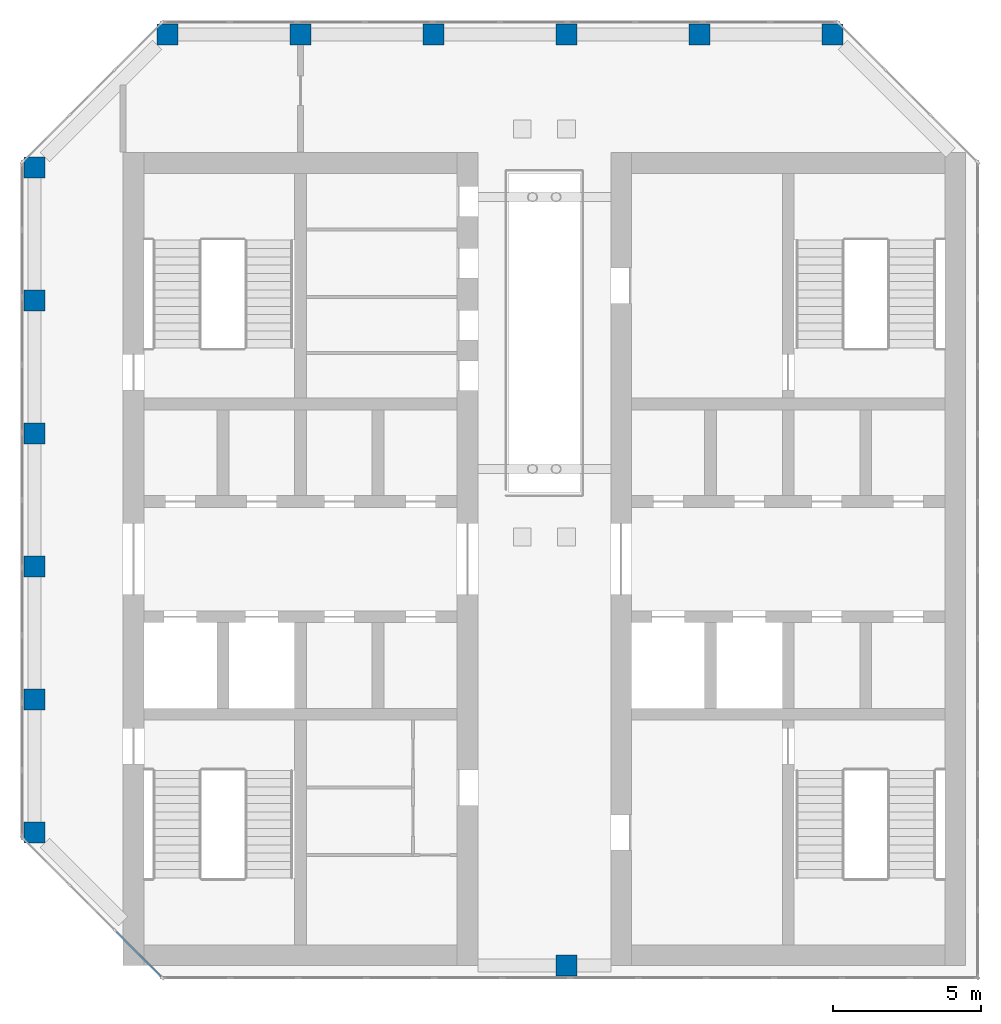
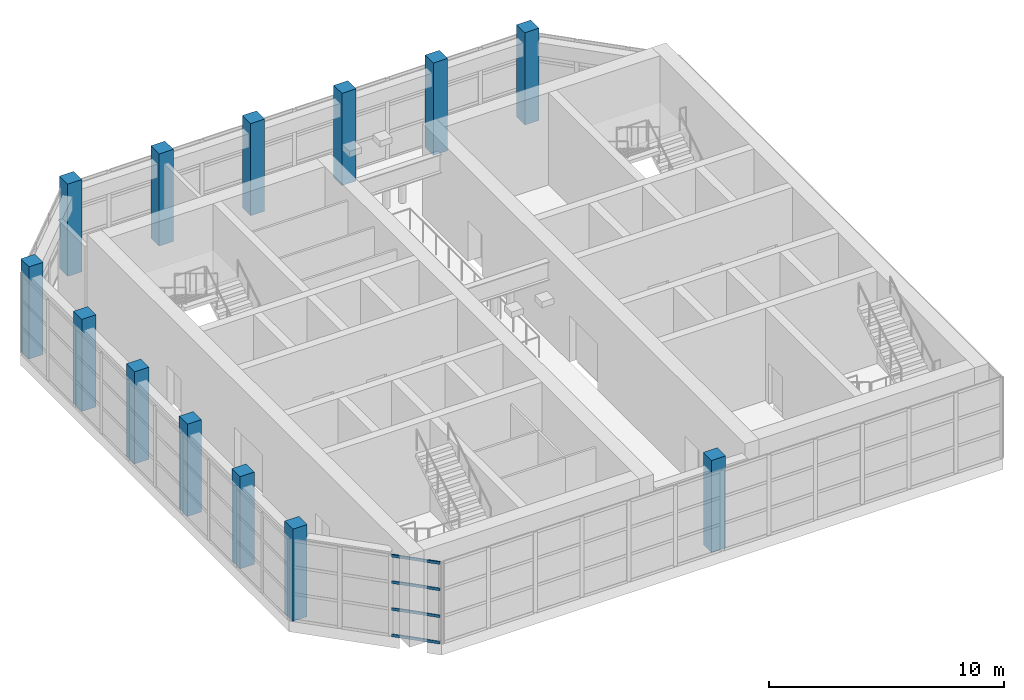
# One storey, part 1 of 13: 13 columns, 4 members, 1 element without a shape of its own.
"""IFC4 building model written with IfcOpenShell, lengths in metres."""

import ifcopenshell
import ifcopenshell.guid

model = None  # the IFC model being written
_history = None  # IfcOwnerHistory: only IFC2X3 demands one
_inside = {}  # id of a spatial element -> (the spatial element, [elements in it])
_under = {}  # id of a project, library or spatial element -> (it, [spatial elements below it])
_declared = {}  # id of a project -> (the project, [libraries it declares])
_typed = {}  # id of a type object -> (the type object, [elements of that type])
_made_of = {}  # id of a material, layer set ... -> (it, [elements and type objects made of it])


def new_model(schema):
    """Start an empty IFC model of exactly this schema.

    Asked for "IFC4X3", IfcOpenShell would pick the latest addendum, in which some entities
    have other attributes; the version numbers below select the first issue.
    IFC2X3 requires an IfcOwnerHistory on every rooted entity: one is made here for all.
    """
    global model, _history
    if schema == "IFC4X3":
        model = ifcopenshell.file(schema_version=(4, 3, 0, 0))
    else:
        model = ifcopenshell.file(schema=schema)
    _inside.clear()
    _under.clear()
    _declared.clear()
    _typed.clear()
    _made_of.clear()
    _history = None
    if model.schema == "IFC2X3":
        org = make("IfcOrganization", Name="unknown")
        user = make(
            "IfcPersonAndOrganization",
            ThePerson=make("IfcPerson", FamilyName="unknown"),
            TheOrganization=org,
        )
        app = make(
            "IfcApplication",
            ApplicationDeveloper=org,
            Version="unknown",
            ApplicationFullName="unknown",
            ApplicationIdentifier="unknown",
        )
        _history = make(
            "IfcOwnerHistory",
            OwningUser=user,
            OwningApplication=app,
            ChangeAction="ADDED",
            CreationDate=0,
        )
    return model


def make(cls, **values):
    """One entity of the class cls with the attributes given. An attribute that is None is left unset."""
    return model.create_entity(
        cls, **{name: value for name, value in values.items() if value is not None}
    )


def rooted(cls, **values):
    """An entity with a GlobalId (a new one), such as an element, a storey or a relation."""
    return make(cls, GlobalId=ifcopenshell.guid.new(), OwnerHistory=_history, **values)


def si_unit(unit_type, name, prefix=None):
    """IfcSIUnit, for example si_unit("LENGTHUNIT", "METRE", prefix="MILLI")."""
    return make("IfcSIUnit", UnitType=unit_type, Prefix=prefix, Name=name)


def assignment(units):
    """IfcUnitAssignment: the units of a project."""
    return None if units is None else make("IfcUnitAssignment", Units=units)


def point(xyz):
    """IfcCartesianPoint."""
    return None if xyz is None else make("IfcCartesianPoint", Coordinates=xyz)


def direction(xyz):
    """IfcDirection."""
    return None if xyz is None else make("IfcDirection", DirectionRatios=xyz)


def frame(location, z_axis=None, x_axis=None):
    """IfcAxis2Placement3D, a coordinate frame: its origin and axes. An axis left out is left unset."""
    return make(
        "IfcAxis2Placement3D",
        Location=point(location),
        Axis=direction(z_axis),
        RefDirection=direction(x_axis),
    )


def frame_2d(location, x_axis=None):
    """IfcAxis2Placement2D, a coordinate frame in the plane: its origin and x axis."""
    return make(
        "IfcAxis2Placement2D", Location=point(location), RefDirection=direction(x_axis)
    )


def origin():
    """The frame at (0, 0, 0) with its axes left unset."""
    return frame((0.0, 0.0, 0.0))


def origin_2d():
    """The frame at (0, 0) in the plane with its x axis left unset."""
    return frame_2d((0.0, 0.0))


def place(relative_to, where):
    """IfcLocalPlacement: puts the frame where relative to a parent placement (None: the world)."""
    return make(
        "IfcLocalPlacement", PlacementRelTo=relative_to, RelativePlacement=where
    )


def context(
    kind, dimensions, precision=None, world=None, true_north=None, identifier=None
):
    """IfcGeometricRepresentationContext, for example the 3D "Model" context."""
    return make(
        "IfcGeometricRepresentationContext",
        ContextIdentifier=identifier,
        ContextType=kind,
        CoordinateSpaceDimension=dimensions,
        Precision=precision,
        WorldCoordinateSystem=world,
        TrueNorth=true_north,
    )


def subcontext(parent, identifier, kind, view, scale=None):
    """IfcGeometricRepresentationSubContext, for example "Body" below "Model"."""
    return make(
        "IfcGeometricRepresentationSubContext",
        ContextIdentifier=identifier,
        ContextType=kind,
        ParentContext=parent,
        TargetScale=scale,
        TargetView=view,
    )


def project(units=None, contexts=None):
    """IfcProject with its units and contexts."""
    return rooted(
        "IfcProject",
        Name="project",
        RepresentationContexts=contexts,
        UnitsInContext=assignment(units),
    )


def spatial(cls, under=None, at=None, **own):
    """A site, building, storey or space (cls), placed at a placement, below another one or the project."""
    s = rooted(cls, ObjectPlacement=at, **own)
    if under is not None:
        _under.setdefault(under.id(), (under, []))[1].append(s)
    return s


def profile(cls, at=None, kind="AREA", **sizes):
    """A parametric profile (cls). Its sizes go by their IFC names, for example OverallWidth=200.0."""
    return make(cls, ProfileType=kind, Position=at, **sizes)


def rectangle(**sizes):
    """IfcRectangleProfileDef."""
    return profile("IfcRectangleProfileDef", **sizes)


def extrude(swept, where, along, depth):
    """IfcExtrudedAreaSolid: the profile swept, set in the frame where, extruded along a direction by depth."""
    return make(
        "IfcExtrudedAreaSolid",
        SweptArea=swept,
        Position=where,
        ExtrudedDirection=direction(along),
        Depth=depth,
    )


def shape(context_of_items, identifier, shape_type, items):
    """IfcShapeRepresentation: the items that make up one representation, for example the "Body"."""
    return make(
        "IfcShapeRepresentation",
        ContextOfItems=context_of_items,
        RepresentationIdentifier=identifier,
        RepresentationType=shape_type,
        Items=items,
    )


def material(Name=None, Category=None):
    """IfcMaterial."""
    return make("IfcMaterial", Name=Name, Category=Category)


def material_profile(
    of_material, cross_section, Name=None, Category=None, Priority=None
):
    """IfcMaterialProfile: a cross section and its material."""
    return make(
        "IfcMaterialProfile",
        Name=Name,
        Material=of_material,
        Profile=cross_section,
        Priority=Priority,
        Category=Category,
    )


def profile_set(profiles, Name=None, composite=None):
    """IfcMaterialProfileSet."""
    return make(
        "IfcMaterialProfileSet",
        Name=Name,
        MaterialProfiles=profiles,
        CompositeProfile=composite,
    )


def made_of(thing, what):
    """Note that an element or type object is made of a material, layer set ...; save() writes the relation."""
    if what is not None:
        _made_of.setdefault(what.id(), (what, []))[1].append(thing)
    return thing


def type_object(cls, material=None, **own):
    """A type object (cls), such as IfcWallType, which elements share."""
    return made_of(rooted(cls, **own), material)


def element(
    cls,
    number,
    at=None,
    inside=None,
    cuts=None,
    type_object=None,
    material=None,
    context=None,
    identifier="Body",
    shape_type=None,
    held_by="IfcProductDefinitionShape",
    body=None,
    shapes=None,
    **own,
):
    """One element of the class cls, such as IfcWall. Its Tag is "e" and its number.

    at: its placement. inside: the storey or other place that contains it. cuts: it is an
    opening in that element (IfcRelVoidsElement). A single representation is given by context,
    identifier, shape_type and body (its items); several are given by shapes. held_by: the class
    of the entity that holds the representations. save() writes the other relations.
    """
    e = rooted(cls, Tag="e%d" % number, ObjectPlacement=at, **own)
    if body is not None:
        shapes = [shape(context, identifier, shape_type, body)]
    if shapes is not None:
        e.Representation = make(held_by, Representations=shapes)
    if inside is not None:
        _inside.setdefault(inside.id(), (inside, []))[1].append(e)
    if cuts is not None:
        rooted(
            "IfcRelVoidsElement", RelatingBuildingElement=cuts, RelatedOpeningElement=e
        )
    if type_object is not None:
        _typed.setdefault(type_object.id(), (type_object, []))[1].append(e)
    return made_of(e, material)


def aggregate(whole, parts):
    """IfcRelAggregates: a whole, such as a stair, and the parts it consists of."""
    return rooted("IfcRelAggregates", RelatingObject=whole, RelatedObjects=parts)


def save(model, path):
    """Write the relations noted so far, then the file.

    IfcRelAggregates (storeys below a building ...), IfcRelContainedInSpatialStructure (elements
    in a storey), IfcRelDefinesByType, IfcRelAssociatesMaterial and IfcRelDeclares: one each for
    every whole, place, type object, material and project.
    """
    for whole, parts in _under.values():
        aggregate(whole, parts)
    for where, things in _inside.values():
        rooted(
            "IfcRelContainedInSpatialStructure",
            RelatedElements=things,
            RelatingStructure=where,
        )
    for kind, things in _typed.values():
        rooted("IfcRelDefinesByType", RelatedObjects=things, RelatingType=kind)
    for what, things in _made_of.values():
        rooted("IfcRelAssociatesMaterial", RelatedObjects=things, RelatingMaterial=what)
    for by, libraries in _declared.values():
        rooted("IfcRelDeclares", RelatingContext=by, RelatedDefinitions=libraries)
    model.write(path)


model = new_model("IFC4")

# Units and contexts
model_context = context("Model", 3, precision=1e-05, world=origin(), true_north=direction((0.0, 1.0)))
body_context = subcontext(model_context, "Body", "Model", "MODEL_VIEW")
ifc_project = project(units=[si_unit("LENGTHUNIT", "METRE"), si_unit("AREAUNIT", "SQUARE_METRE"), si_unit("VOLUMEUNIT", "CUBIC_METRE"), si_unit("PLANEANGLEUNIT", "RADIAN"), si_unit("MASSUNIT", "GRAM", prefix="KILO")], contexts=[model_context])

# Site, building, storey
site_placement = place(None, origin())
site = spatial("IfcSite", under=ifc_project, at=site_placement, CompositionType="ELEMENT")
building_placement = place(site_placement, origin())
building = spatial("IfcBuilding", under=site, at=building_placement, Name="Corbel Stack Research Tower", CompositionType="ELEMENT")
storey_placement = place(building_placement, frame((0.0, 0.0, 316.60009765625)))
storey = spatial("IfcBuildingStorey", under=building, at=storey_placement, Name="L71", CompositionType="ELEMENT", Elevation=316.60009765625)

# Columns
ifc_material_1 = material(Name="Concrete C60/75", Category="concrete")
ifc_material_profile_1 = material_profile(ifc_material_1, rectangle(XDim=0.699951171875, YDim=0.699951171875, at=origin_2d()), Name="RC 700 x 700")
ifc_profile_set_1 = profile_set([ifc_material_profile_1], Name="Concrete C60/75")
column_type = type_object("IfcColumnType", Name="C-700-60", PredefinedType="COLUMN", material=ifc_profile_set_1)
for number, where, z_axis, x_axis, name in (
    (1, (-13.5, -4.5, 0.0), (0.0, 0.0, 1.0), (1.0, 0.0, 0.0), "Column 5/G L71"),
    (2, (-13.5, 0.0, 0.0), (0.0, 0.0, 1.0), (1.0, 0.0, 0.0), "Column 5/H L71"),
    (3, (-13.5, 4.5, 0.0), (0.0, 0.0, 1.0), (1.0, 0.0, 0.0), "Column 5/J L71"),
    (4, (-13.5, 9.0, 0.0), (0.0, 0.0, 1.0), (1.0, 0.0, 0.0), "Column 5/K L71"),
    (5, (-13.5, 13.5, 0.0), (0.0, 0.0, 1.0), (1.0, 0.0, 0.0), "Column 5/L L71"),
    (6, (-13.5, 18.0, 0.0), (0.0, 0.0, 1.0), (1.0, 0.0, 0.0), "Column 5/M L71"),
    (7, (-9.0, 22.5, 0.0), (0.0, 0.0, 1.0), (1.0, 0.0, 0.0), "Column 6/N L71"),
    (8, (-4.5, 22.5, 0.0), (0.0, 0.0, 1.0), (1.0, 0.0, 0.0), "Column 7/N L71"),
    (9, (0.0, 22.5, 0.0), (0.0, 0.0, 1.0), (1.0, 0.0, 0.0), "Column 8/N L71"),
    (10, (4.5, -9.0, 0.0), (0.0, 0.0, 1.0), (1.0, 0.0, 0.0), "Column 9/F L71"),
    (11, (4.5, 22.5, 0.0), (0.0, 0.0, 1.0), (1.0, 0.0, 0.0), "Column 9/N L71"),
    (12, (9.0, 22.5, 0.0), (0.0, 0.0, 1.0), (1.0, 0.0, 0.0), "Column 10/N L71"),
    (13, (13.5, 22.5, 0.0), (0.0, 0.0, 1.0), (1.0, 0.0, 0.0), "Column 11/N L71"),
):
    element("IfcColumn", number, at=place(storey_placement, frame(where, z_axis=z_axis, x_axis=x_axis)), inside=storey, type_object=column_type, Name=name, PredefinedType="COLUMN", context=body_context, shape_type="SweptSolid", body=[
        extrude(rectangle(XDim=0.699951171875, YDim=0.699951171875, at=origin_2d()), origin(), (0.0, 0.0, 1.0), 4.7998046875),
    ])

# Curtain wall, members
ifc_material_2 = material(Name="Aluminium and glass", Category="aluminium")
curtain_wall_type = type_object("IfcCurtainWallType", Name="CW4C damper hall glazing wall, corner", PredefinedType="NOTDEFINED", material=ifc_material_2)
curtain_wall_placement = place(storey_placement, origin())
curtain_wall = element("IfcCurtainWall", 14, at=curtain_wall_placement, inside=storey, type_object=curtain_wall_type, Name="Damper hall curtain wall L71 1", PredefinedType="NOTDEFINED")
ifc_material_3 = material(Name="Aluminium, anodised", Category="aluminium")
ifc_material_profile_2 = material_profile(ifc_material_3, rectangle(XDim=0.06005859375, YDim=0.139892578125, at=origin_2d()), Name="CW4 transom 60 x 140")
ifc_profile_set_2 = profile_set([ifc_material_profile_2], Name="Aluminium, anodised")
member_type = type_object("IfcMemberType", Name="CW4 transom 60 x 140", PredefinedType="USERDEFINED", material=ifc_profile_set_2)
member_1_placement = place(storey_placement, frame((-9.21630859375, -9.377685546875, 0.02978515625), z_axis=(-0.707106781187, 0.707106781187, 0.0), x_axis=(-0.707106781187, -0.707106781187, 0.0)))
member_1 = element("IfcMember", 15, at=member_1_placement, type_object=member_type, Name="CW4C transom 1.1", ObjectType="TRANSOM", PredefinedType="USERDEFINED", context=body_context, shape_type="SweptSolid", body=[
    extrude(rectangle(XDim=0.06005859375, YDim=0.139892578125, at=origin_2d()), origin(), (0.0, 0.0, 1.0), 2.1474609375),
])
member_2_placement = place(storey_placement, frame((-9.21630859375, -9.377685546875, 1.39990234375), z_axis=(-0.707106781187, 0.707106781187, 0.0), x_axis=(-0.707106781187, -0.707106781187, 0.0)))
member_2 = element("IfcMember", 16, at=member_2_placement, type_object=member_type, Name="CW4C transom 1.2", ObjectType="TRANSOM", PredefinedType="USERDEFINED", context=body_context, shape_type="SweptSolid", body=[
    extrude(rectangle(XDim=0.06005859375, YDim=0.139892578125, at=origin_2d()), origin(), (0.0, 0.0, 1.0), 2.1474609375),
])
member_3_placement = place(storey_placement, frame((-9.21630859375, -9.377685546875, 2.7998046875), z_axis=(-0.707106781187, 0.707106781187, 0.0), x_axis=(-0.707106781187, -0.707106781187, 0.0)))
member_3 = element("IfcMember", 17, at=member_3_placement, type_object=member_type, Name="CW4C transom 1.3", ObjectType="TRANSOM", PredefinedType="USERDEFINED", context=body_context, shape_type="SweptSolid", body=[
    extrude(rectangle(XDim=0.06005859375, YDim=0.139892578125, at=origin_2d()), origin(), (0.0, 0.0, 1.0), 2.1474609375),
])
member_4_placement = place(storey_placement, frame((-9.21630859375, -9.377685546875, 4.169921875), z_axis=(-0.707106781187, 0.707106781187, 0.0), x_axis=(-0.707106781187, -0.707106781187, 0.0)))
member_4 = element("IfcMember", 18, at=member_4_placement, type_object=member_type, Name="CW4C transom 1.4", ObjectType="TRANSOM", PredefinedType="USERDEFINED", context=body_context, shape_type="SweptSolid", body=[
    extrude(rectangle(XDim=0.06005859375, YDim=0.139892578125, at=origin_2d()), origin(), (0.0, 0.0, 1.0), 2.1474609375),
])
aggregate(curtain_wall, [member_1, member_2, member_3, member_4])

save(model, "model.ifc")
